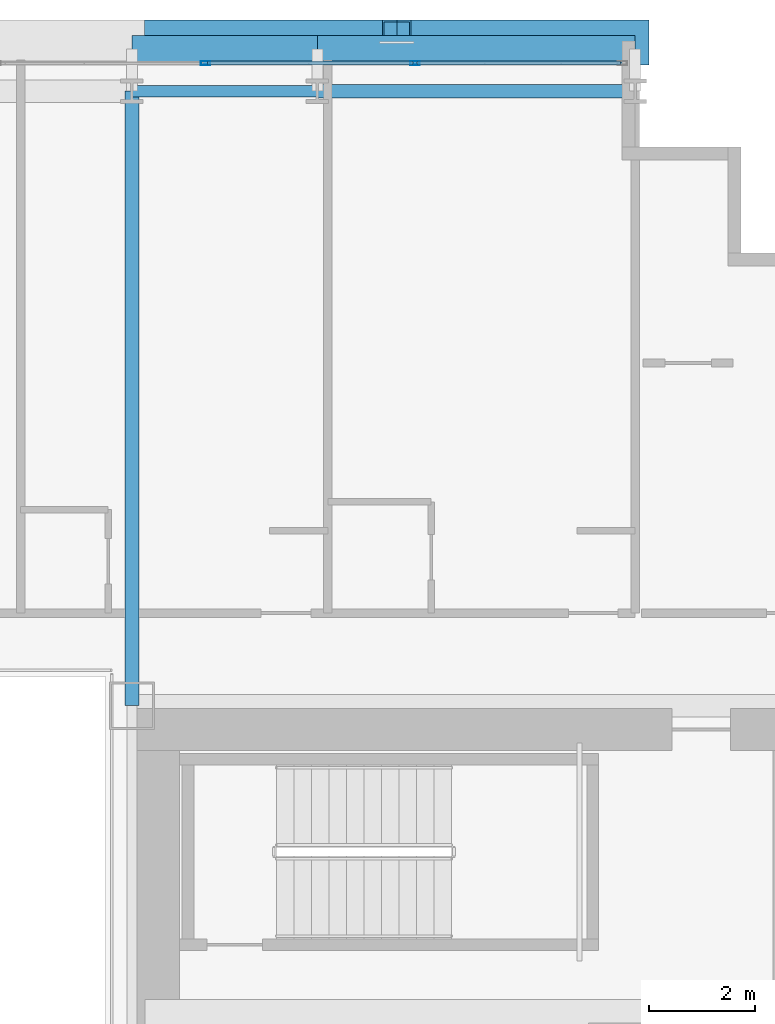
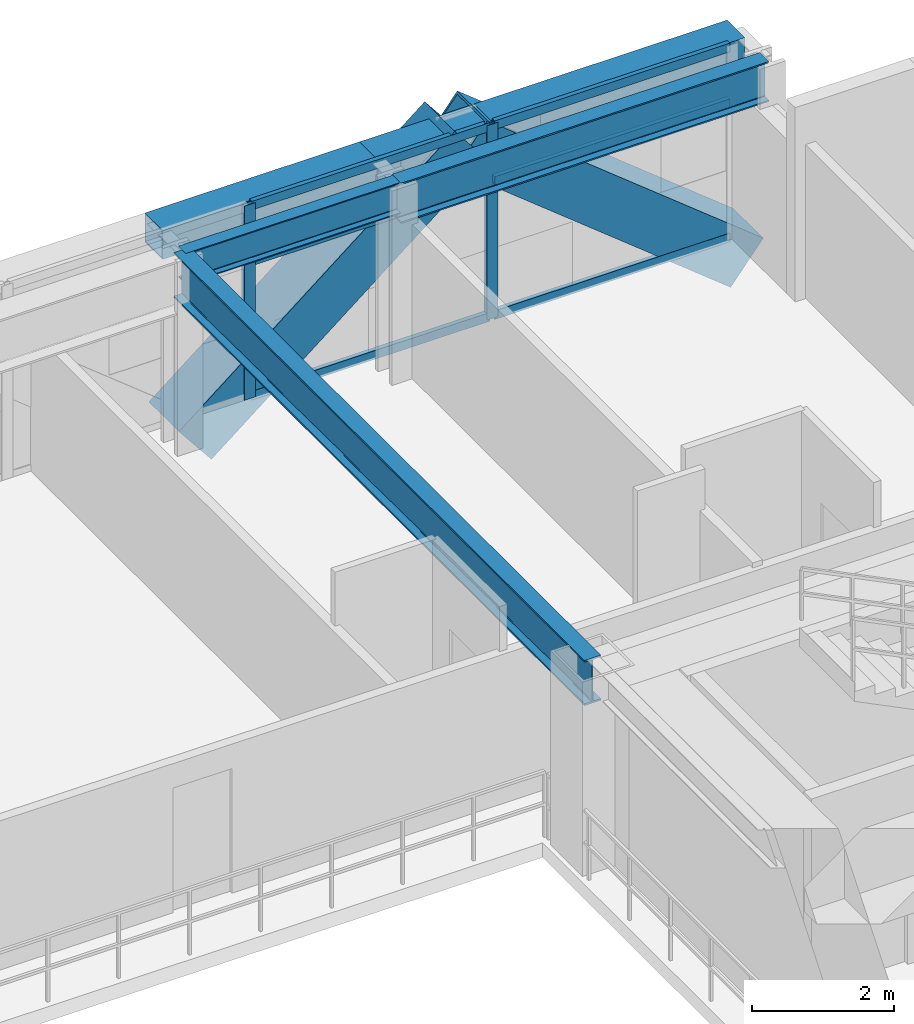
# One storey, part 21 of 35: 10 members, 5 beams, 1 element without a shape of its own.
"""IFC4 building model written with IfcOpenShell, lengths in metres."""

from ifc_helpers import new_model, si_unit, direction, frame, origin, origin_2d, place, context, subcontext, project, spatial, hollow_rectangle, i_section, extrude, source, transform, mapped, material, layer, layer_set, material_profile, profile_set, type_object, element, aggregate, save


model = new_model("IFC4")

# Units and contexts
model_context = context("Model", 3, precision=1e-05, world=origin(), true_north=direction((0.0, 1.0)))
body_context = subcontext(model_context, "Body", "Model", "MODEL_VIEW")
ifc_project = project(units=[si_unit("LENGTHUNIT", "METRE"), si_unit("AREAUNIT", "SQUARE_METRE"), si_unit("VOLUMEUNIT", "CUBIC_METRE"), si_unit("PLANEANGLEUNIT", "RADIAN"), si_unit("MASSUNIT", "GRAM", prefix="KILO")], contexts=[model_context])

# Site, building, storey
site_placement = place(None, origin())
site = spatial("IfcSite", under=ifc_project, at=site_placement, CompositionType="ELEMENT")
building_placement = place(site_placement, origin())
building = spatial("IfcBuilding", under=site, at=building_placement, Name="Ocotamira Hotel", CompositionType="ELEMENT")
storey_placement = place(building_placement, frame((0.0, 0.0, 49.199951171875)))
storey = spatial("IfcBuildingStorey", under=building, at=storey_placement, Name="L11", CompositionType="ELEMENT", Elevation=49.199951171875)

# Beams
ifc_material_1 = material(Name="Steel ASTM A992 Grade 50", Category="steel")
ifc_material_profile_1 = material_profile(ifc_material_1, i_section(OverallWidth=0.256103515625, OverallDepth=0.693115234375, WebThickness=0.014404296875, FlangeThickness=0.023681640625, FilletRadius=0.01611328125, at=origin_2d()), Name="W27X114")
ifc_profile_set_1 = profile_set([ifc_material_profile_1], Name="Steel ASTM A992 Grade 50")
beam_type_1 = type_object("IfcBeamType", Name="BM-PRIM-W27X114", PredefinedType="BEAM", material=ifc_profile_set_1)
shared_shape_1 = source(origin(), body_context, "Body", "SweptSolid", [
    extrude(i_section(OverallWidth=0.256103515625, OverallDepth=0.693115234375, WebThickness=0.014404296875, FlangeThickness=0.023681640625, FilletRadius=0.01611328125, at=origin_2d()), origin(), (0.0, 0.0, 1.0), 6.0),
])
beam_1_placement = place(storey_placement, frame((44.0, 49.050048828125, 3.003662109375), z_axis=(1.0, 0.0, 0.0), x_axis=(0.0, 1.0, 0.0)))
element("IfcBeam", 1, at=beam_1_placement, inside=storey, type_object=beam_type_1, Name="L11 Girder Y49.05 X44-50", PredefinedType="BEAM", context=body_context, shape_type="MappedRepresentation", body=[
    mapped(shared_shape_1, transform((0.0, 0.0, 0.0), scale=1.0)),
])
ifc_material_profile_2 = material_profile(ifc_material_1, i_section(OverallWidth=0.2099609375, OverallDepth=0.537109375, WebThickness=0.010986328125, FlangeThickness=0.017333984375, FilletRadius=0.012939453125, at=origin_2d()), Name="W21X68")
ifc_profile_set_2 = profile_set([ifc_material_profile_2], Name="Steel ASTM A992 Grade 50")
beam_type_2 = type_object("IfcBeamType", Name="BM-SEC-W21X68", PredefinedType="JOIST", material=ifc_profile_set_2)
shared_shape_2 = source(origin(), body_context, "Body", "SweptSolid", [
    extrude(i_section(OverallWidth=0.2099609375, OverallDepth=0.537109375, WebThickness=0.010986328125, FlangeThickness=0.017333984375, FilletRadius=0.012939453125, at=origin_2d()), origin(), (0.0, 0.0, 1.0), 3.5),
])
beam_2_placement = place(storey_placement, frame((40.5, 49.050048828125, 3.08154296875), z_axis=(1.0, 0.0, 0.0), x_axis=(0.0, 1.0, 0.0)))
element("IfcBeam", 2, at=beam_2_placement, inside=storey, type_object=beam_type_2, Name="L11 Girder Y49.05 X40.5-44", PredefinedType="JOIST", context=body_context, shape_type="MappedRepresentation", body=[
    mapped(shared_shape_2, transform((0.0, 0.0, 0.0), scale=1.0)),
])
ifc_material_profile_3 = material_profile(ifc_material_1, i_section(OverallWidth=0.26611328125, OverallDepth=0.779052734375, WebThickness=0.0166015625, FlangeThickness=0.030029296875, FilletRadius=0.01806640625, at=origin_2d()), Name="W30X148")
ifc_profile_set_3 = profile_set([ifc_material_profile_3], Name="Steel ASTM A992 Grade 50")
beam_type_3 = type_object("IfcBeamType", Name="BM-GIRD-W30X148", PredefinedType="BEAM", material=ifc_profile_set_3)
shared_shape_3 = source(origin(), body_context, "Body", "SweptSolid", [
    extrude(i_section(OverallWidth=0.26611328125, OverallDepth=0.779052734375, WebThickness=0.0166015625, FlangeThickness=0.030029296875, FilletRadius=0.01806640625, at=origin_2d()), origin(), (0.0, 0.0, 1.0), 11.60009765625),
])
beam_3_placement = place(storey_placement, frame((40.5, 37.449951171875, 2.96044921875), z_axis=(0.0, 1.0, 0.0), x_axis=(-1.0, 0.0, 0.0)))
element("IfcBeam", 3, at=beam_3_placement, inside=storey, type_object=beam_type_3, Name="L11 Beam X40.5 Y37.45-49.05", PredefinedType="BEAM", context=body_context, shape_type="MappedRepresentation", body=[
    mapped(shared_shape_3, transform((0.0, 0.0, 0.0), scale=1.0)),
])
ifc_material_2 = material(Name="Steel ASTM A500 Grade C", Category="steel")
ifc_material_profile_4 = material_profile(ifc_material_2, hollow_rectangle(XDim=0.5, YDim=0.5, WallThickness=0.02001953125, at=origin_2d()), Name="HSS500X500X20")
ifc_profile_set_4 = profile_set([ifc_material_profile_4], Name="Steel ASTM A500 Grade C")
beam_type_4 = type_object("IfcBeamType", Name="BM-SPAN-HSS500", PredefinedType="USERDEFINED", material=ifc_profile_set_4)
shared_shape_4 = source(origin(), body_context, "Body", "SweptSolid", [
    extrude(hollow_rectangle(XDim=0.5, YDim=0.5, WallThickness=0.02001953125, at=origin_2d()), origin(), (0.0, 0.0, 1.0), 6.0),
])
beam_4_placement = place(storey_placement, frame((44.0, 49.85009765625, 3.10009765625), z_axis=(1.0, 0.0, 0.0), x_axis=(0.0, 1.0, 0.0)))
element("IfcBeam", 4, at=beam_4_placement, inside=storey, type_object=beam_type_4, Name="L11 Edge Spandrel N X44-50", ObjectType="SPANDREL", PredefinedType="USERDEFINED", context=body_context, shape_type="MappedRepresentation", body=[
    mapped(shared_shape_4, transform((0.0, 0.0, 0.0), scale=1.0)),
])
shared_shape_5 = source(origin(), body_context, "Body", "SweptSolid", [
    extrude(hollow_rectangle(XDim=0.5, YDim=0.5, WallThickness=0.02001953125, at=origin_2d()), origin(), (0.0, 0.0, 1.0), 3.5),
])
beam_5_placement = place(storey_placement, frame((40.5, 49.85009765625, 3.10009765625), z_axis=(1.0, 0.0, 0.0), x_axis=(0.0, 1.0, 0.0)))
element("IfcBeam", 5, at=beam_5_placement, inside=storey, type_object=beam_type_4, Name="L11 Edge Spandrel N X40.5-44", ObjectType="SPANDREL", PredefinedType="USERDEFINED", context=body_context, shape_type="MappedRepresentation", body=[
    mapped(shared_shape_5, transform((0.0, 0.0, 0.0), scale=1.0)),
])

# Members
ifc_material_3 = material(Name="Pale-metal coated steel ASTM A913 Grade 65", Category="steel")
ifc_material_profile_5 = material_profile(ifc_material_3, hollow_rectangle(XDim=0.85009765625, YDim=0.85009765625, WallThickness=0.035888671875, at=origin_2d()), Name="BOX850X850X36")
ifc_profile_set_5 = profile_set([ifc_material_profile_5], Name="Pale-metal coated steel ASTM A913 Grade 65")
member_type_1 = type_object("IfcMemberType", Name="MEM-EXO-BOX850", PredefinedType="BRACE", material=ifc_profile_set_5)
shared_shape_6 = source(origin(), body_context, "Body", "SweptSolid", [
    extrude(hollow_rectangle(XDim=0.85009765625, YDim=0.85009765625, WallThickness=0.035888671875, at=origin_2d()), origin(), (0.0, 0.0, 1.0), 5.762939453125),
])
for number, where, z_axis, x_axis, name in (
    (6, (41.0, 49.969970703125, -0.5), (0.780860543151, 0.0, 0.624705380279), (0.0, 1.0, 0.0), "L11 Exoskeleton Diagrid N3.1"),
    (7, (50.0, 49.969970703125, -0.5), (-0.780860543151, 0.0, 0.624705380279), (0.0, -1.0, 0.0), "L11 Exoskeleton Diagrid N3.2"),
):
    element("IfcMember", number, at=place(storey_placement, frame(where, z_axis=z_axis, x_axis=x_axis)), inside=storey, type_object=member_type_1, Name=name, PredefinedType="BRACE", context=body_context, shape_type="MappedRepresentation", body=[
        mapped(shared_shape_6, transform((0.0, 0.0, 0.0), scale=1.0)),
    ])

# Curtain wall, members
ifc_material_4 = material(Name="Anodised pale-metal aluminium and solar glass", Category="aluminium")
ifc_layer = layer(ifc_material_4, 0.179931640625)
ifc_layer_set = layer_set([ifc_layer], Name="Anodised pale-metal aluminium and solar glass")
curtain_wall_type = type_object("IfcCurtainWallType", Name="CW-SYS2-Z1", PredefinedType="NOTDEFINED", material=ifc_layer_set)
curtain_wall_placement = place(storey_placement, origin())
curtain_wall = element("IfcCurtainWall", 8, at=curtain_wall_placement, inside=storey, type_object=curtain_wall_type, Name="L11 Curtain Wall CW-2 CW-L11-N", PredefinedType="NOTDEFINED")
ifc_material_5 = material(Name="Anodised pale-metal aluminium 6063-T6", Category="aluminium")
ifc_material_profile_6 = material_profile(ifc_material_5, hollow_rectangle(XDim=0.074951171875, YDim=0.14990234375, WallThickness=0.006103515625, at=origin_2d()), Name="HSS150X75X6")
ifc_profile_set_6 = profile_set([ifc_material_profile_6], Name="Anodised pale-metal aluminium 6063-T6")
member_type_2 = type_object("IfcMemberType", Name="CWT-150X75", PredefinedType="USERDEFINED", material=ifc_profile_set_6)
shared_shape_7 = source(origin(), body_context, "Body", "SweptSolid", [
    extrude(hollow_rectangle(XDim=0.074951171875, YDim=0.14990234375, WallThickness=0.006103515625, at=origin_2d()), origin(), (0.0, 0.0, 1.0), 3.83544921875),
])
member_1_placement = place(storey_placement, frame((45.884521484375, 49.580078125, 0.03759765625), z_axis=(1.0, 0.0, 0.0), x_axis=(0.0, 1.0, 0.0)))
member_1 = element("IfcMember", 9, at=member_1_placement, type_object=member_type_2, Name="CW-2 transom 9.1", ObjectType="TRANSOM", PredefinedType="USERDEFINED", context=body_context, shape_type="MappedRepresentation", body=[
    mapped(shared_shape_7, transform((0.0, 0.0, 0.0), scale=1.0)),
])
member_2_placement = place(storey_placement, frame((45.884521484375, 49.580078125, 2.35009765625), z_axis=(1.0, 0.0, 0.0), x_axis=(0.0, 1.0, 0.0)))
member_2 = element("IfcMember", 10, at=member_2_placement, type_object=member_type_2, Name="CW-2 transom 9.2", ObjectType="TRANSOM", PredefinedType="USERDEFINED", context=body_context, shape_type="MappedRepresentation", body=[
    mapped(shared_shape_7, transform((0.0, 0.0, 0.0), scale=1.0)),
])
member_3_placement = place(storey_placement, frame((45.884521484375, 49.580078125, 3.3125), z_axis=(1.0, 0.0, 0.0), x_axis=(0.0, 1.0, 0.0)))
member_3 = element("IfcMember", 11, at=member_3_placement, type_object=member_type_2, Name="CW-2 transom 9.3", ObjectType="TRANSOM", PredefinedType="USERDEFINED", context=body_context, shape_type="MappedRepresentation", body=[
    mapped(shared_shape_7, transform((0.0, 0.0, 0.0), scale=1.0)),
])
shared_shape_8 = source(origin(), body_context, "Body", "SweptSolid", [
    extrude(hollow_rectangle(XDim=0.074951171875, YDim=0.14990234375, WallThickness=0.006103515625, at=origin_2d()), origin(), (0.0, 0.0, 1.0), 3.87548828125),
])
member_4_placement = place(storey_placement, frame((41.928955078125, 49.580078125, 0.03759765625), z_axis=(1.0, 0.0, 0.0), x_axis=(0.0, 1.0, 0.0)))
member_4 = element("IfcMember", 12, at=member_4_placement, type_object=member_type_2, Name="CW-2 transom 8.1", ObjectType="TRANSOM", PredefinedType="USERDEFINED", context=body_context, shape_type="MappedRepresentation", body=[
    mapped(shared_shape_8, transform((0.0, 0.0, 0.0), scale=1.0)),
])
member_5_placement = place(storey_placement, frame((41.928955078125, 49.580078125, 2.35009765625), z_axis=(1.0, 0.0, 0.0), x_axis=(0.0, 1.0, 0.0)))
member_5 = element("IfcMember", 13, at=member_5_placement, type_object=member_type_2, Name="CW-2 transom 8.2", ObjectType="TRANSOM", PredefinedType="USERDEFINED", context=body_context, shape_type="MappedRepresentation", body=[
    mapped(shared_shape_8, transform((0.0, 0.0, 0.0), scale=1.0)),
])
member_6_placement = place(storey_placement, frame((41.928955078125, 49.580078125, 3.3125), z_axis=(1.0, 0.0, 0.0), x_axis=(0.0, 1.0, 0.0)))
member_6 = element("IfcMember", 14, at=member_6_placement, type_object=member_type_2, Name="CW-2 transom 8.3", ObjectType="TRANSOM", PredefinedType="USERDEFINED", context=body_context, shape_type="MappedRepresentation", body=[
    mapped(shared_shape_8, transform((0.0, 0.0, 0.0), scale=1.0)),
])
ifc_material_profile_7 = material_profile(ifc_material_5, hollow_rectangle(XDim=0.080078125, YDim=0.179931640625, WallThickness=0.006103515625, at=origin_2d()), Name="HSS180X80X6")
ifc_profile_set_7 = profile_set([ifc_material_profile_7], Name="Anodised pale-metal aluminium 6063-T6")
member_type_3 = type_object("IfcMemberType", Name="CWM-180X75", PredefinedType="MULLION", material=ifc_profile_set_7)
shared_shape_9 = source(origin(), body_context, "Body", "SweptSolid", [
    extrude(hollow_rectangle(XDim=0.080078125, YDim=0.179931640625, WallThickness=0.006103515625, at=origin_2d()), origin(), (0.0, 0.0, 1.0), 3.35009765625),
])
member_7_placement = place(storey_placement, frame((41.888916015625, 49.580078125, 0.0), z_axis=(0.0, 0.0, 1.0), x_axis=(0.0, 1.0, 0.0)))
member_7 = element("IfcMember", 15, at=member_7_placement, type_object=member_type_3, Name="CW-2 mullion 8", PredefinedType="MULLION", context=body_context, shape_type="MappedRepresentation", body=[
    mapped(shared_shape_9, transform((0.0, 0.0, 0.0), scale=1.0)),
])
member_8_placement = place(storey_placement, frame((45.844482421875, 49.580078125, 0.0), z_axis=(0.0, 0.0, 1.0), x_axis=(0.0, 1.0, 0.0)))
member_8 = element("IfcMember", 16, at=member_8_placement, type_object=member_type_3, Name="CW-2 mullion 9", PredefinedType="MULLION", context=body_context, shape_type="MappedRepresentation", body=[
    mapped(shared_shape_9, transform((0.0, 0.0, 0.0), scale=1.0)),
])
aggregate(curtain_wall, [member_7, member_8, member_4, member_5, member_6, member_1, member_2, member_3])

save(model, "model.ifc")
